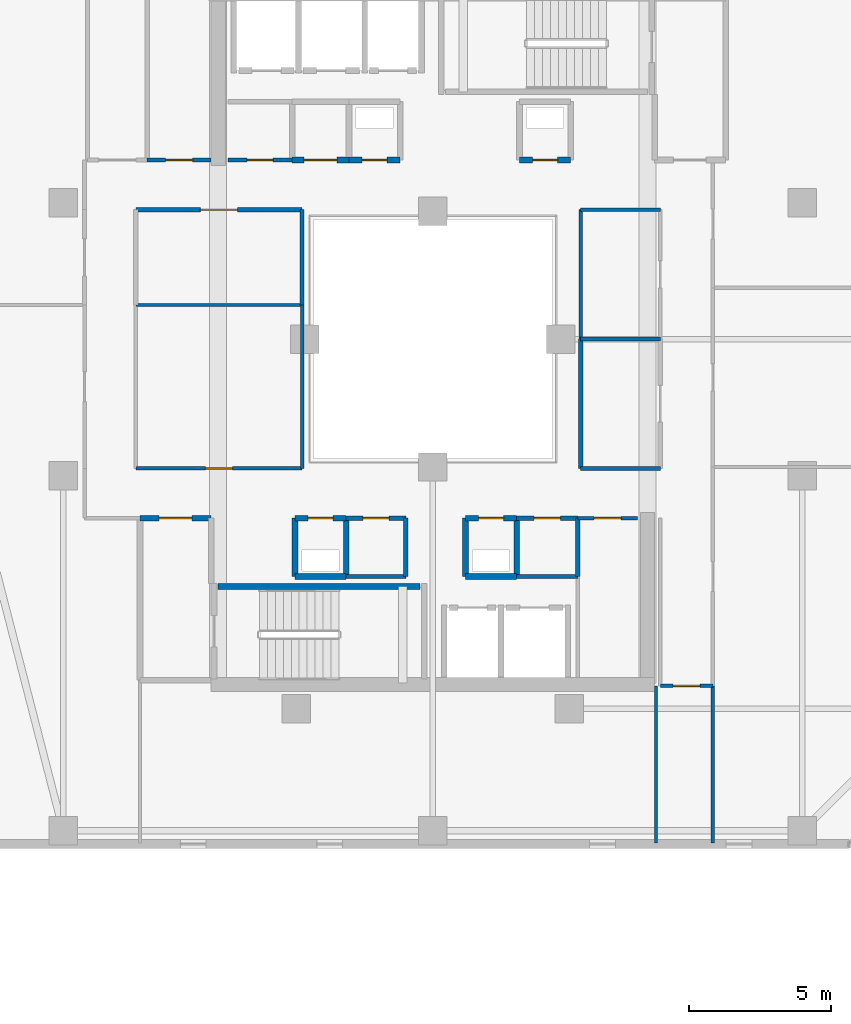
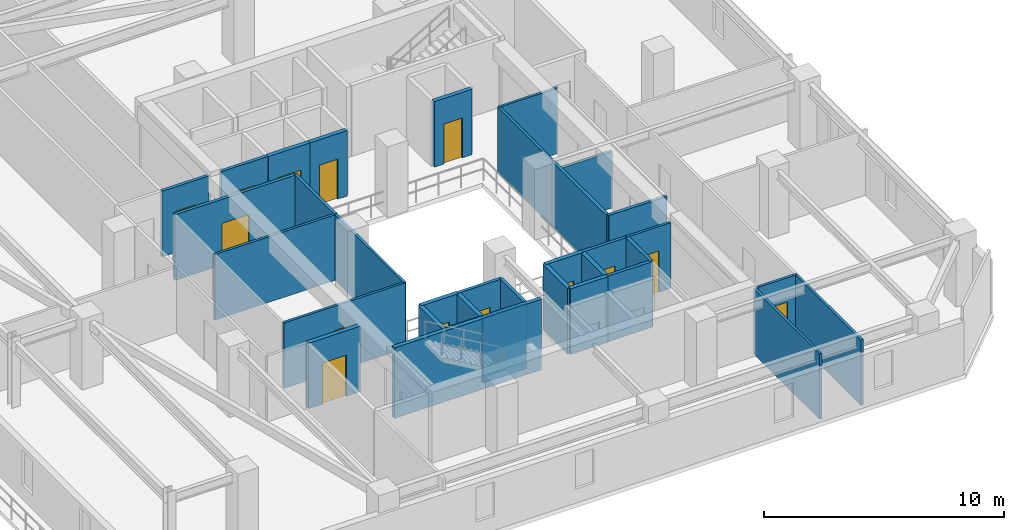
# One storey, part 20 of 33: 35 walls, 14 doors, 14 openings.
"""IFC4 building model written with IfcOpenShell, lengths in metres."""

from ifc_helpers import new_model, si_unit, direction, frame, frame_2d, origin, place, context, subcontext, project, spatial, rectangle, extrude, material, layer, layer_set, type_object, element, fill, save


model = new_model("IFC4")

# Units and contexts
model_context = context("Model", 3, precision=1e-05, world=origin(), true_north=direction((0.0, 1.0)))
body_context = subcontext(model_context, "Body", "Model", "MODEL_VIEW")
ifc_project = project(units=[si_unit("LENGTHUNIT", "METRE"), si_unit("AREAUNIT", "SQUARE_METRE"), si_unit("VOLUMEUNIT", "CUBIC_METRE"), si_unit("PLANEANGLEUNIT", "RADIAN"), si_unit("MASSUNIT", "GRAM", prefix="KILO")], contexts=[model_context])

# Site, building, storey
site_placement = place(None, origin())
site = spatial("IfcSite", under=ifc_project, at=site_placement, CompositionType="ELEMENT")
building_placement = place(site_placement, origin())
building = spatial("IfcBuilding", under=site, at=building_placement, Name="Thornwick Lancets Civic Towers", CompositionType="ELEMENT")
storey_placement = place(building_placement, frame((0.0, 0.0, 214.5)))
storey = spatial("IfcBuildingStorey", under=building, at=storey_placement, Name="L57", CompositionType="ELEMENT", Elevation=214.5)

# Wall, opening, door
ifc_material_1 = material(Name="Concrete blockwork C40/50", Category="masonry")
ifc_layer_1 = layer(ifc_material_1, 0.199951171875, Name="Concrete blockwork C40/50")
ifc_layer_set_1 = layer_set([ifc_layer_1], Name="Concrete blockwork C40/50")
wall_type_1 = type_object("IfcWallType", Name="WALL_COMP_200", PredefinedType="STANDARD", material=ifc_layer_set_1)
wall_1_placement = place(storey_placement, frame((17.699951171875, 20.699951171875, 0.0), z_axis=(0.0, 0.0, 1.0), x_axis=(-1.0, 0.0, 0.0)))
wall_1 = element("IfcWall", 1, at=wall_1_placement, inside=storey, type_object=wall_type_1, Name="L57 Partition L57-A-FFLOB1 E3", PredefinedType="STANDARD", context=body_context, shape_type="SweptSolid", body=[
    extrude(rectangle(XDim=2.5, YDim=0.199951171875, at=frame_2d((1.25, 0.0))), origin(), (0.0, 0.0, 1.0), 3.340087890625),
])
opening_1_placement = place(wall_1_placement, frame((0.675048828125, 0.0, 0.0)))
opening_1 = element("IfcOpeningElement", 2, at=opening_1_placement, cuts=wall_1, Name="Opening D-L57-2529", PredefinedType="OPENING", context=body_context, shape_type="SweptSolid", body=[
    extrude(rectangle(XDim=1.14990234375, YDim=2.10009765625, at=frame_2d((0.574951171875, 1.050048828125))), frame((0.0, 0.10986328125, 0.0), z_axis=(0.0, -1.0, 0.0), x_axis=(1.0, 0.0, 0.0)), (0.0, 0.0, 1.0), 0.219970703125),
])
ifc_material_2 = material(Name="Glazed fire-resisting steel", Category="steel")
door_type_1 = type_object("IfcDoorType", Name="DOOR_LOBBY_FD60", OperationType="NOTDEFINED", PredefinedType="DOOR", material=ifc_material_2)
door_1_placement = place(opening_1_placement, origin())
door_1 = element("IfcDoor", 3, at=door_1_placement, inside=storey, type_object=door_type_1, Name="L57 South Firefighting Lobby 1 Door", OperationType="SINGLE_SWING_RIGHT", OverallHeight=2.10009765625, OverallWidth=1.14990234375, PredefinedType="DOOR", context=body_context, shape_type="SweptSolid", body=[
    extrude(rectangle(XDim=1.14990234375, YDim=2.10009765625, at=frame_2d((0.574951171875, 1.050048828125))), frame((0.0, 0.02490234375, 0.0), z_axis=(0.0, -1.0, 0.0), x_axis=(1.0, 0.0, 0.0)), (0.0, 0.0, 1.0), 0.050048828125),
])
fill(opening_1, door_1)

# Walls
wall_2_placement = place(storey_placement, frame((26.64990234375, 18.64990234375, 0.0), z_axis=(0.0, 0.0, 1.0), x_axis=(1.0, 0.0, 0.0)))
element("IfcWall", 4, at=wall_2_placement, inside=storey, type_object=wall_type_1, Name="L57 Partition L57-A-DUCT1 E1", PredefinedType="STANDARD", context=body_context, shape_type="SweptSolid", body=[
    extrude(rectangle(XDim=1.800048828125, YDim=0.199951171875, at=frame_2d((0.89990234375, 0.0))), origin(), (0.0, 0.0, 1.0), 3.340087890625),
])
wall_3_placement = place(storey_placement, frame((28.449951171875, 18.64990234375, 0.0), z_axis=(0.0, 0.0, 1.0), x_axis=(0.0, 1.0, 0.0)))
element("IfcWall", 5, at=wall_3_placement, inside=storey, type_object=wall_type_1, Name="L57 Partition L57-A-DUCT1 E2", PredefinedType="STANDARD", context=body_context, shape_type="SweptSolid", body=[
    extrude(rectangle(XDim=2.050048828125, YDim=0.199951171875, at=frame_2d((1.02490234375, 0.0))), origin(), (0.0, 0.0, 1.0), 3.340087890625),
])

# Wall, opening, door
wall_4_placement = place(storey_placement, frame((28.449951171875, 20.699951171875, 0.0), z_axis=(0.0, 0.0, 1.0), x_axis=(-1.0, 0.0, 0.0)))
wall_4 = element("IfcWall", 6, at=wall_4_placement, inside=storey, type_object=wall_type_1, Name="L57 Partition L57-A-DUCT1 E3", PredefinedType="STANDARD", context=body_context, shape_type="SweptSolid", body=[
    extrude(rectangle(XDim=1.800048828125, YDim=0.199951171875, at=frame_2d((0.89990234375, 0.0))), origin(), (0.0, 0.0, 1.0), 3.340087890625),
])
opening_2_placement = place(wall_4_placement, frame((0.4599609375, 0.0, 0.0)))
opening_2 = element("IfcOpeningElement", 7, at=opening_2_placement, cuts=wall_4, Name="Opening D-L57-2531", PredefinedType="OPENING", context=body_context, shape_type="SweptSolid", body=[
    extrude(rectangle(XDim=0.8798828125, YDim=2.0400390625, at=frame_2d((0.43994140625, 1.02001953125))), frame((0.0, 0.10986328125, 0.0), z_axis=(0.0, -1.0, 0.0), x_axis=(1.0, 0.0, 0.0)), (0.0, 0.0, 1.0), 0.219970703125),
])
ifc_material_3 = material(Name="Steel riser access doorset", Category="steel")
door_type_2 = type_object("IfcDoorType", Name="DOOR_RISER_850", OperationType="NOTDEFINED", PredefinedType="DOOR", material=ifc_material_3)
door_2_placement = place(opening_2_placement, origin())
door_2 = element("IfcDoor", 8, at=door_2_placement, inside=storey, type_object=door_type_2, Name="L57 South Service Duct 1 Door", OperationType="SINGLE_SWING_RIGHT", OverallHeight=2.0400390625, OverallWidth=0.8798828125, PredefinedType="DOOR", context=body_context, shape_type="SweptSolid", body=[
    extrude(rectangle(XDim=0.8798828125, YDim=2.0400390625, at=frame_2d((0.43994140625, 1.02001953125))), frame((0.0, 0.02490234375, 0.0), z_axis=(0.0, -1.0, 0.0), x_axis=(1.0, 0.0, 0.0)), (0.0, 0.0, 1.0), 0.050048828125),
])
fill(opening_2, door_2)

# Walls
wall_5_placement = place(storey_placement, frame((26.64990234375, 20.699951171875, 0.0), z_axis=(0.0, 0.0, 1.0), x_axis=(0.0, -1.0, 0.0)))
element("IfcWall", 9, at=wall_5_placement, inside=storey, type_object=wall_type_1, Name="L57 Partition L57-A-DUCT1 E4", PredefinedType="STANDARD", context=body_context, shape_type="SweptSolid", body=[
    extrude(rectangle(XDim=2.050048828125, YDim=0.199951171875, at=frame_2d((1.02490234375, 0.0))), origin(), (0.0, 0.0, 1.0), 3.340087890625),
])
wall_6_placement = place(storey_placement, frame((20.64990234375, 18.64990234375, 0.0), z_axis=(0.0, 0.0, 1.0), x_axis=(1.0, 0.0, 0.0)))
element("IfcWall", 10, at=wall_6_placement, inside=storey, type_object=wall_type_1, Name="L57 Partition L57-A-RISER1 E1", PredefinedType="STANDARD", context=body_context, shape_type="SweptSolid", body=[
    extrude(rectangle(XDim=1.800048828125, YDim=0.199951171875, at=frame_2d((0.89990234375, 0.0))), origin(), (0.0, 0.0, 1.0), 3.340087890625),
])
wall_7_placement = place(storey_placement, frame((22.449951171875, 18.64990234375, 0.0), z_axis=(0.0, 0.0, 1.0), x_axis=(0.0, 1.0, 0.0)))
element("IfcWall", 11, at=wall_7_placement, inside=storey, type_object=wall_type_1, Name="L57 Partition L57-A-RISER1 E2", PredefinedType="STANDARD", context=body_context, shape_type="SweptSolid", body=[
    extrude(rectangle(XDim=2.050048828125, YDim=0.199951171875, at=frame_2d((1.02490234375, 0.0))), origin(), (0.0, 0.0, 1.0), 3.340087890625),
])

# Wall, opening, door
wall_8_placement = place(storey_placement, frame((22.449951171875, 20.699951171875, 0.0), z_axis=(0.0, 0.0, 1.0), x_axis=(-1.0, 0.0, 0.0)))
wall_8 = element("IfcWall", 12, at=wall_8_placement, inside=storey, type_object=wall_type_1, Name="L57 Partition L57-A-RISER1 E3", PredefinedType="STANDARD", context=body_context, shape_type="SweptSolid", body=[
    extrude(rectangle(XDim=1.800048828125, YDim=0.199951171875, at=frame_2d((0.89990234375, 0.0))), origin(), (0.0, 0.0, 1.0), 3.340087890625),
])
opening_3_placement = place(wall_8_placement, frame((0.4599609375, 0.0, 0.0)))
opening_3 = element("IfcOpeningElement", 13, at=opening_3_placement, cuts=wall_8, Name="Opening D-L57-2532", PredefinedType="OPENING", context=body_context, shape_type="SweptSolid", body=[
    extrude(rectangle(XDim=0.8798828125, YDim=2.0400390625, at=frame_2d((0.43994140625, 1.02001953125))), frame((0.0, 0.10986328125, 0.0), z_axis=(0.0, -1.0, 0.0), x_axis=(1.0, 0.0, 0.0)), (0.0, 0.0, 1.0), 0.219970703125),
])
door_3_placement = place(opening_3_placement, origin())
door_3 = element("IfcDoor", 14, at=door_3_placement, inside=storey, type_object=door_type_2, Name="L57 South Electrical Riser 1 Door", OperationType="SINGLE_SWING_LEFT", OverallHeight=2.0400390625, OverallWidth=0.8798828125, PredefinedType="DOOR", context=body_context, shape_type="SweptSolid", body=[
    extrude(rectangle(XDim=0.8798828125, YDim=2.0400390625, at=frame_2d((0.43994140625, 1.02001953125))), frame((0.0, 0.02490234375, 0.0), z_axis=(0.0, -1.0, 0.0), x_axis=(1.0, 0.0, 0.0)), (0.0, 0.0, 1.0), 0.050048828125),
])
fill(opening_3, door_3)

# Wall
wall_9_placement = place(storey_placement, frame((20.64990234375, 20.699951171875, 0.0), z_axis=(0.0, 0.0, 1.0), x_axis=(0.0, -1.0, 0.0)))
element("IfcWall", 15, at=wall_9_placement, inside=storey, type_object=wall_type_1, Name="L57 Partition L57-A-RISER1 E4", PredefinedType="STANDARD", context=body_context, shape_type="SweptSolid", body=[
    extrude(rectangle(XDim=2.050048828125, YDim=0.199951171875, at=frame_2d((1.02490234375, 0.0))), origin(), (0.0, 0.0, 1.0), 3.340087890625),
])

# Wall, opening, door
wall_10_placement = place(storey_placement, frame((22.550048828125, 33.300048828125, 0.0), z_axis=(0.0, 0.0, 1.0), x_axis=(1.0, 0.0, 0.0)))
wall_10 = element("IfcWall", 16, at=wall_10_placement, inside=storey, type_object=wall_type_1, Name="L57 Partition L57-A-DUCT2 E1", PredefinedType="STANDARD", context=body_context, shape_type="SweptSolid", body=[
    extrude(rectangle(XDim=1.800048828125, YDim=0.199951171875, at=frame_2d((0.89990234375, 0.0))), origin(), (0.0, 0.0, 1.0), 3.340087890625),
])
opening_4_placement = place(wall_10_placement, frame((0.4599609375, 0.0, 0.0)))
opening_4 = element("IfcOpeningElement", 17, at=opening_4_placement, cuts=wall_10, Name="Opening D-L57-2533", PredefinedType="OPENING", context=body_context, shape_type="SweptSolid", body=[
    extrude(rectangle(XDim=0.8798828125, YDim=2.0400390625, at=frame_2d((0.43994140625, 1.02001953125))), frame((0.0, 0.10986328125, 0.0), z_axis=(0.0, -1.0, 0.0), x_axis=(1.0, 0.0, 0.0)), (0.0, 0.0, 1.0), 0.219970703125),
])
door_4_placement = place(opening_4_placement, origin())
door_4 = element("IfcDoor", 18, at=door_4_placement, inside=storey, type_object=door_type_2, Name="L57 North Service Duct 2 Door", OperationType="SINGLE_SWING_RIGHT", OverallHeight=2.0400390625, OverallWidth=0.8798828125, PredefinedType="DOOR", context=body_context, shape_type="SweptSolid", body=[
    extrude(rectangle(XDim=0.8798828125, YDim=2.0400390625, at=frame_2d((0.43994140625, 1.02001953125))), frame((0.0, 0.02490234375, 0.0), z_axis=(0.0, -1.0, 0.0), x_axis=(1.0, 0.0, 0.0)), (0.0, 0.0, 1.0), 0.050048828125),
])
fill(opening_4, door_4)

wall_11_placement = place(storey_placement, frame((28.550048828125, 33.300048828125, 0.0), z_axis=(0.0, 0.0, 1.0), x_axis=(1.0, 0.0, 0.0)))
wall_11 = element("IfcWall", 19, at=wall_11_placement, inside=storey, type_object=wall_type_1, Name="L57 Partition L57-A-RISER2 E1", PredefinedType="STANDARD", context=body_context, shape_type="SweptSolid", body=[
    extrude(rectangle(XDim=1.800048828125, YDim=0.199951171875, at=frame_2d((0.89990234375, 0.0))), origin(), (0.0, 0.0, 1.0), 3.340087890625),
])
opening_5_placement = place(wall_11_placement, frame((0.4599609375, 0.0, 0.0)))
opening_5 = element("IfcOpeningElement", 20, at=opening_5_placement, cuts=wall_11, Name="Opening D-L57-2534", PredefinedType="OPENING", context=body_context, shape_type="SweptSolid", body=[
    extrude(rectangle(XDim=0.8798828125, YDim=2.0400390625, at=frame_2d((0.43994140625, 1.02001953125))), frame((0.0, 0.10986328125, 0.0), z_axis=(0.0, -1.0, 0.0), x_axis=(1.0, 0.0, 0.0)), (0.0, 0.0, 1.0), 0.219970703125),
])
door_5_placement = place(opening_5_placement, origin())
door_5 = element("IfcDoor", 21, at=door_5_placement, inside=storey, type_object=door_type_2, Name="L57 North Service Riser 2 Door", OperationType="SINGLE_SWING_LEFT", OverallHeight=2.0400390625, OverallWidth=0.8798828125, PredefinedType="DOOR", context=body_context, shape_type="SweptSolid", body=[
    extrude(rectangle(XDim=0.8798828125, YDim=2.0400390625, at=frame_2d((0.43994140625, 1.02001953125))), frame((0.0, 0.02490234375, 0.0), z_axis=(0.0, -1.0, 0.0), x_axis=(1.0, 0.0, 0.0)), (0.0, 0.0, 1.0), 0.050048828125),
])
fill(opening_5, door_5)

wall_12_placement = place(storey_placement, frame((22.550048828125, 33.300048828125, 0.0), z_axis=(0.0, 0.0, 1.0), x_axis=(-1.0, 0.0, 0.0)))
wall_12 = element("IfcWall", 22, at=wall_12_placement, inside=storey, type_object=wall_type_1, Name="L57 Partition L57-A-STR E4", PredefinedType="STANDARD", context=body_context, shape_type="SweptSolid", body=[
    extrude(rectangle(XDim=2.0, YDim=0.199951171875, at=frame_2d((1.0, 0.0))), origin(), (0.0, 0.0, 1.0), 3.340087890625),
])
opening_6_placement = place(wall_12_placement, frame((0.425048828125, 0.0, 0.0)))
opening_6 = element("IfcOpeningElement", 23, at=opening_6_placement, cuts=wall_12, Name="Opening D-L57-2539", PredefinedType="OPENING", context=body_context, shape_type="SweptSolid", body=[
    extrude(rectangle(XDim=1.14990234375, YDim=2.10009765625, at=frame_2d((0.574951171875, 1.050048828125))), frame((0.0, 0.10986328125, 0.0), z_axis=(0.0, -1.0, 0.0), x_axis=(1.0, 0.0, 0.0)), (0.0, 0.0, 1.0), 0.219970703125),
])
door_6_placement = place(opening_6_placement, origin())
door_6 = element("IfcDoor", 24, at=door_6_placement, inside=storey, type_object=door_type_1, Name="L57 Tower A Core Records Store Door", OperationType="SINGLE_SWING_RIGHT", OverallHeight=2.10009765625, OverallWidth=1.14990234375, PredefinedType="DOOR", context=body_context, shape_type="SweptSolid", body=[
    extrude(rectangle(XDim=1.14990234375, YDim=2.10009765625, at=frame_2d((0.574951171875, 1.050048828125))), frame((0.0, 0.02490234375, 0.0), z_axis=(0.0, -1.0, 0.0), x_axis=(1.0, 0.0, 0.0)), (0.0, 0.0, 1.0), 0.050048828125),
])
fill(opening_6, door_6)

ifc_material_4 = material(Name="Acoustic gypsum board partition")
ifc_layer_2 = layer(ifc_material_4, 0.1201171875, Name="Acoustic gypsum board partition")
ifc_layer_set_2 = layer_set([ifc_layer_2], Name="Acoustic gypsum board partition")
wall_type_2 = type_object("IfcWallType", Name="WALL_PART_120", PredefinedType="PARTITIONING", material=ifc_layer_set_2)
wall_13_placement = place(storey_placement, frame((30.60009765625, 20.699951171875, 0.0), z_axis=(0.0, 0.0, 1.0), x_axis=(1.0, 0.0, 0.0)))
wall_13 = element("IfcWall", 25, at=wall_13_placement, inside=storey, type_object=wall_type_2, Name="L57 Partition L57-A-ITR E5", PredefinedType="PARTITIONING", context=body_context, shape_type="SweptSolid", body=[
    extrude(rectangle(XDim=2.099853515625, YDim=0.1201171875, at=frame_2d((1.0498046875, 0.0))), origin(), (0.0, 0.0, 1.0), 3.340087890625),
])
opening_7_placement = place(wall_13_placement, frame((0.574951171875, 0.0, 0.0)))
opening_7 = element("IfcOpeningElement", 26, at=opening_7_placement, cuts=wall_13, Name="Opening D-L57-2537", PredefinedType="OPENING", context=body_context, shape_type="SweptSolid", body=[
    extrude(rectangle(XDim=0.949951171875, YDim=2.10009765625, at=frame_2d((0.47509765625, 1.050048828125))), frame((0.0, 0.070068359375, 0.0), z_axis=(0.0, -1.0, 0.0), x_axis=(1.0, 0.0, 0.0)), (0.0, 0.0, 1.0), 0.14013671875),
])
ifc_material_5 = material(Name="European oak acoustic doorset")
door_type_3 = type_object("IfcDoorType", Name="DOOR_OFFICE_950", OperationType="NOTDEFINED", PredefinedType="DOOR", material=ifc_material_5)
door_7_placement = place(opening_7_placement, origin())
door_7 = element("IfcDoor", 27, at=door_7_placement, inside=storey, type_object=door_type_3, Name="L57 Tower A Comms Patch Room Door", OperationType="SINGLE_SWING_RIGHT", OverallHeight=2.10009765625, OverallWidth=0.949951171875, PredefinedType="DOOR", context=body_context, shape_type="SweptSolid", body=[
    extrude(rectangle(XDim=0.949951171875, YDim=2.10009765625, at=frame_2d((0.47509765625, 1.050048828125))), frame((0.0, 0.02490234375, 0.0), z_axis=(0.0, -1.0, 0.0), x_axis=(1.0, 0.0, 0.0)), (0.0, 0.0, 1.0), 0.050048828125),
])
fill(opening_7, door_7)

wall_14_placement = place(storey_placement, frame((33.5, 14.800048828125, 0.0), z_axis=(0.0, 0.0, 1.0), x_axis=(1.0, 0.0, 0.0)))
wall_14 = element("IfcWall", 28, at=wall_14_placement, inside=storey, type_object=wall_type_2, Name="L57 Partition L57-A-RECLAIM-L E3", PredefinedType="PARTITIONING", context=body_context, shape_type="SweptSolid", body=[
    extrude(rectangle(XDim=1.85009765625, YDim=0.1201171875, at=frame_2d((0.925048828125, 0.0))), origin(), (0.0, 0.0, 1.0), 3.340087890625),
])
opening_8_placement = place(wall_14_placement, frame((0.449951171875, 0.0, 0.0)))
opening_8 = element("IfcOpeningElement", 29, at=opening_8_placement, cuts=wall_14, Name="Opening D-L57-2551", PredefinedType="OPENING", context=body_context, shape_type="SweptSolid", body=[
    extrude(rectangle(XDim=0.949951171875, YDim=2.10009765625, at=frame_2d((0.47509765625, 1.050048828125))), frame((0.0, 0.070068359375, 0.0), z_axis=(0.0, -1.0, 0.0), x_axis=(1.0, 0.0, 0.0)), (0.0, 0.0, 1.0), 0.14013671875),
])
door_8_placement = place(opening_8_placement, origin())
door_8 = element("IfcDoor", 30, at=door_8_placement, inside=storey, type_object=door_type_3, Name="L57 Tower A Parliamentary Drafting Library Door", OperationType="SINGLE_SWING_RIGHT", OverallHeight=2.10009765625, OverallWidth=0.949951171875, PredefinedType="DOOR", context=body_context, shape_type="SweptSolid", body=[
    extrude(rectangle(XDim=0.949951171875, YDim=2.10009765625, at=frame_2d((0.47509765625, 1.050048828125))), frame((0.0, 0.02490234375, 0.0), z_axis=(0.0, -1.0, 0.0), x_axis=(1.0, 0.0, 0.0)), (0.0, 0.0, 1.0), 0.050048828125),
])
fill(opening_8, door_8)

# Walls
for number, where, z_axis, x_axis, name in (
    (31, (35.35009765625, 14.800048828125, 0.0), (0.0, 0.0, 1.0), (0.0, -1.0, 0.0), "L57 Partition L57-A-RECLAIM-L E4"),
    (32, (33.35009765625, 9.280029296875, 0.0), (0.0, 0.0, 1.0), (0.0, 1.0, 0.0), "L57 Partition L57-A-RECLAIM-L E6"),
):
    element("IfcWall", number, at=place(storey_placement, frame(where, z_axis=z_axis, x_axis=x_axis)), inside=storey, type_object=wall_type_2, Name=name, PredefinedType="PARTITIONING", context=body_context, shape_type="SweptSolid", body=[
        extrude(rectangle(XDim=5.52001953125, YDim=0.1201171875, at=frame_2d((2.760009765625, 0.0))), origin(), (0.0, 0.0, 1.0), 3.340087890625),
    ])
wall_15_placement = place(storey_placement, frame((15.050048828125, 28.199951171875, 0.0), z_axis=(0.0, 0.0, 1.0), x_axis=(1.0, 0.0, 0.0)))
element("IfcWall", 33, at=wall_15_placement, inside=storey, type_object=wall_type_2, Name="L57 Partition L57-A-W3 E2", PredefinedType="PARTITIONING", context=body_context, shape_type="SweptSolid", body=[
    extrude(rectangle(XDim=5.849853515625, YDim=0.1201171875, at=frame_2d((2.9248046875, 0.0))), origin(), (0.0, 0.0, 1.0), 3.340087890625),
])
wall_16_placement = place(storey_placement, frame((20.89990234375, 28.199951171875, 0.0), z_axis=(0.0, 0.0, 1.0), x_axis=(0.0, -1.0, 0.0)))
element("IfcWall", 34, at=wall_16_placement, inside=storey, type_object=wall_type_2, Name="L57 Partition L57-A-W3 E3", PredefinedType="PARTITIONING", context=body_context, shape_type="SweptSolid", body=[
    extrude(rectangle(XDim=5.75, YDim=0.1201171875, at=frame_2d((2.875, 0.0))), origin(), (0.0, 0.0, 1.0), 3.340087890625),
])

# Wall, opening, door
wall_17_placement = place(storey_placement, frame((20.89990234375, 22.449951171875, 0.0), z_axis=(0.0, 0.0, 1.0), x_axis=(-1.0, 0.0, 0.0)))
wall_17 = element("IfcWall", 35, at=wall_17_placement, inside=storey, type_object=wall_type_2, Name="L57 Partition L57-A-W3 E4", PredefinedType="PARTITIONING", context=body_context, shape_type="SweptSolid", body=[
    extrude(rectangle(XDim=5.849853515625, YDim=0.1201171875, at=frame_2d((2.9248046875, 0.0))), origin(), (0.0, 0.0, 1.0), 3.340087890625),
])
opening_9_placement = place(wall_17_placement, frame((2.449951171875, 0.0, 0.0)))
opening_9 = element("IfcOpeningElement", 36, at=opening_9_placement, cuts=wall_17, Name="Opening D-L57-2556", PredefinedType="OPENING", context=body_context, shape_type="SweptSolid", body=[
    extrude(rectangle(XDim=0.949951171875, YDim=2.10009765625, at=frame_2d((0.47509765625, 1.050048828125))), frame((0.0, 0.070068359375, 0.0), z_axis=(0.0, -1.0, 0.0), x_axis=(1.0, 0.0, 0.0)), (0.0, 0.0, 1.0), 0.14013671875),
])
door_9_placement = place(opening_9_placement, origin())
door_9 = element("IfcDoor", 37, at=door_9_placement, inside=storey, type_object=door_type_3, Name="L57 Tower A Staff Tea Pantry and Lounge Door", OperationType="SINGLE_SWING_LEFT", OverallHeight=2.10009765625, OverallWidth=0.949951171875, PredefinedType="DOOR", context=body_context, shape_type="SweptSolid", body=[
    extrude(rectangle(XDim=0.949951171875, YDim=2.10009765625, at=frame_2d((0.47509765625, 1.050048828125))), frame((0.0, 0.02490234375, 0.0), z_axis=(0.0, -1.0, 0.0), x_axis=(1.0, 0.0, 0.0)), (0.0, 0.0, 1.0), 0.050048828125),
])
fill(opening_9, door_9)

# Walls
wall_18_placement = place(storey_placement, frame((30.699951171875, 27.0, 0.0), z_axis=(0.0, 0.0, 1.0), x_axis=(0.0, 1.0, 0.0)))
element("IfcWall", 38, at=wall_18_placement, inside=storey, type_object=wall_type_2, Name="L57 Partition L57-A-E-ATR-2 E1", PredefinedType="PARTITIONING", context=body_context, shape_type="SweptSolid", body=[
    extrude(rectangle(XDim=4.550048828125, YDim=0.1201171875, at=frame_2d((2.27490234375, 0.0))), origin(), (0.0, 0.0, 1.0), 3.340087890625),
])
wall_19_placement = place(storey_placement, frame((30.699951171875, 31.550048828125, 0.0), z_axis=(0.0, 0.0, 1.0), x_axis=(1.0, 0.0, 0.0)))
element("IfcWall", 39, at=wall_19_placement, inside=storey, type_object=wall_type_2, Name="L57 Partition L57-A-E-ATR-2 E2", PredefinedType="PARTITIONING", context=body_context, shape_type="SweptSolid", body=[
    extrude(rectangle(XDim=2.800048828125, YDim=0.1201171875, at=frame_2d((1.39990234375, 0.0))), origin(), (0.0, 0.0, 1.0), 3.340087890625),
])
ifc_material_6 = material(Name="Twin-stud acoustic gypsum board")
ifc_layer_3 = layer(ifc_material_6, 0.14990234375, Name="Twin-stud acoustic gypsum board")
ifc_layer_set_3 = layer_set([ifc_layer_3], Name="Twin-stud acoustic gypsum board")
wall_type_3 = type_object("IfcWallType", Name="WALL_PART_150", PredefinedType="PARTITIONING", material=ifc_layer_set_3)
wall_20_placement = place(storey_placement, frame((24.550048828125, 20.699951171875, 0.0), z_axis=(0.0, 0.0, 1.0), x_axis=(0.0, -1.0, 0.0)))
element("IfcWall", 40, at=wall_20_placement, inside=storey, type_object=wall_type_3, Name="L57 Partition L57-A-MWC E1", PredefinedType="PARTITIONING", context=body_context, shape_type="SweptSolid", body=[
    extrude(rectangle(XDim=2.050048828125, YDim=0.14990234375, at=frame_2d((1.02490234375, 0.0))), origin(), (0.0, 0.0, 1.0), 3.340087890625),
])
wall_21_placement = place(storey_placement, frame((24.550048828125, 18.64990234375, 0.0), z_axis=(0.0, 0.0, 1.0), x_axis=(-1.0, 0.0, 0.0)))
element("IfcWall", 41, at=wall_21_placement, inside=storey, type_object=wall_type_3, Name="L57 Partition L57-A-MWC E2", PredefinedType="PARTITIONING", context=body_context, shape_type="SweptSolid", body=[
    extrude(rectangle(XDim=2.10009765625, YDim=0.14990234375, at=frame_2d((1.050048828125, 0.0))), origin(), (0.0, 0.0, 1.0), 3.340087890625),
])

# Wall, opening, door
wall_22_placement = place(storey_placement, frame((22.449951171875, 20.699951171875, 0.0), z_axis=(0.0, 0.0, 1.0), x_axis=(1.0, 0.0, 0.0)))
wall_22 = element("IfcWall", 42, at=wall_22_placement, inside=storey, type_object=wall_type_3, Name="L57 Partition L57-A-MWC E4", PredefinedType="PARTITIONING", context=body_context, shape_type="SweptSolid", body=[
    extrude(rectangle(XDim=2.10009765625, YDim=0.14990234375, at=frame_2d((1.050048828125, 0.0))), origin(), (0.0, 0.0, 1.0), 3.340087890625),
])
opening_10_placement = place(wall_22_placement, frame((0.590087890625, 0.0, 0.0)))
opening_10 = element("IfcOpeningElement", 43, at=opening_10_placement, cuts=wall_22, Name="Opening D-L57-2535", PredefinedType="OPENING", context=body_context, shape_type="SweptSolid", body=[
    extrude(rectangle(XDim=0.919921875, YDim=2.080078125, at=frame_2d((0.4599609375, 1.0400390625))), frame((0.0, 0.0849609375, 0.0), z_axis=(0.0, -1.0, 0.0), x_axis=(1.0, 0.0, 0.0)), (0.0, 0.0, 1.0), 0.169921875),
])
ifc_material_7 = material(Name="Moisture-resistant oak doorset")
door_type_4 = type_object("IfcDoorType", Name="DOOR_WC_900", OperationType="NOTDEFINED", PredefinedType="DOOR", material=ifc_material_7)
door_10_placement = place(opening_10_placement, origin())
door_10 = element("IfcDoor", 44, at=door_10_placement, inside=storey, type_object=door_type_4, Name="L57 Tower A Male WC Door", OperationType="SINGLE_SWING_RIGHT", OverallHeight=2.080078125, OverallWidth=0.919921875, PredefinedType="DOOR", context=body_context, shape_type="SweptSolid", body=[
    extrude(rectangle(XDim=0.919921875, YDim=2.080078125, at=frame_2d((0.4599609375, 1.0400390625))), frame((0.0, 0.02490234375, 0.0), z_axis=(0.0, -1.0, 0.0), x_axis=(1.0, 0.0, 0.0)), (0.0, 0.0, 1.0), 0.050048828125),
])
fill(opening_10, door_10)

# Walls
wall_23_placement = place(storey_placement, frame((30.60009765625, 20.699951171875, 0.0), z_axis=(0.0, 0.0, 1.0), x_axis=(0.0, -1.0, 0.0)))
element("IfcWall", 45, at=wall_23_placement, inside=storey, type_object=wall_type_3, Name="L57 Partition L57-A-FWC E1", PredefinedType="PARTITIONING", context=body_context, shape_type="SweptSolid", body=[
    extrude(rectangle(XDim=2.050048828125, YDim=0.14990234375, at=frame_2d((1.02490234375, 0.0))), origin(), (0.0, 0.0, 1.0), 3.340087890625),
])
wall_24_placement = place(storey_placement, frame((30.60009765625, 18.64990234375, 0.0), z_axis=(0.0, 0.0, 1.0), x_axis=(-1.0, 0.0, 0.0)))
element("IfcWall", 46, at=wall_24_placement, inside=storey, type_object=wall_type_3, Name="L57 Partition L57-A-FWC E2", PredefinedType="PARTITIONING", context=body_context, shape_type="SweptSolid", body=[
    extrude(rectangle(XDim=2.150146484375, YDim=0.14990234375, at=frame_2d((1.0751953125, 0.0))), origin(), (0.0, 0.0, 1.0), 3.340087890625),
])

# Wall, opening, door
wall_25_placement = place(storey_placement, frame((28.449951171875, 20.699951171875, 0.0), z_axis=(0.0, 0.0, 1.0), x_axis=(1.0, 0.0, 0.0)))
wall_25 = element("IfcWall", 47, at=wall_25_placement, inside=storey, type_object=wall_type_3, Name="L57 Partition L57-A-FWC E4", PredefinedType="PARTITIONING", context=body_context, shape_type="SweptSolid", body=[
    extrude(rectangle(XDim=2.150146484375, YDim=0.14990234375, at=frame_2d((1.0751953125, 0.0))), origin(), (0.0, 0.0, 1.0), 3.340087890625),
])
opening_11_placement = place(wall_25_placement, frame((0.614990234375, 0.0, 0.0)))
opening_11 = element("IfcOpeningElement", 48, at=opening_11_placement, cuts=wall_25, Name="Opening D-L57-2536", PredefinedType="OPENING", context=body_context, shape_type="SweptSolid", body=[
    extrude(rectangle(XDim=0.919921875, YDim=2.080078125, at=frame_2d((0.4599609375, 1.0400390625))), frame((0.0, 0.0849609375, 0.0), z_axis=(0.0, -1.0, 0.0), x_axis=(1.0, 0.0, 0.0)), (0.0, 0.0, 1.0), 0.169921875),
])
door_11_placement = place(opening_11_placement, origin())
door_11 = element("IfcDoor", 49, at=door_11_placement, inside=storey, type_object=door_type_4, Name="L57 Tower A Female WC Door", OperationType="SINGLE_SWING_LEFT", OverallHeight=2.080078125, OverallWidth=0.919921875, PredefinedType="DOOR", context=body_context, shape_type="SweptSolid", body=[
    extrude(rectangle(XDim=0.919921875, YDim=2.080078125, at=frame_2d((0.4599609375, 1.0400390625))), frame((0.0, 0.02490234375, 0.0), z_axis=(0.0, -1.0, 0.0), x_axis=(1.0, 0.0, 0.0)), (0.0, 0.0, 1.0), 0.050048828125),
])
fill(opening_11, door_11)

wall_26_placement = place(storey_placement, frame((18.300048828125, 33.300048828125, 0.0), z_axis=(0.0, 0.0, 1.0), x_axis=(1.0, 0.0, 0.0)))
wall_26 = element("IfcWall", 50, at=wall_26_placement, inside=storey, type_object=wall_type_3, Name="L57 Partition L57-A-AWC E1", PredefinedType="PARTITIONING", context=body_context, shape_type="SweptSolid", body=[
    extrude(rectangle(XDim=2.25, YDim=0.14990234375, at=frame_2d((1.125, 0.0))), origin(), (0.0, 0.0, 1.0), 3.340087890625),
])
opening_12_placement = place(wall_26_placement, frame((0.6650390625, 0.0, 0.0)))
opening_12 = element("IfcOpeningElement", 51, at=opening_12_placement, cuts=wall_26, Name="Opening D-L57-2538", PredefinedType="OPENING", context=body_context, shape_type="SweptSolid", body=[
    extrude(rectangle(XDim=0.919921875, YDim=2.080078125, at=frame_2d((0.4599609375, 1.0400390625))), frame((0.0, 0.0849609375, 0.0), z_axis=(0.0, -1.0, 0.0), x_axis=(1.0, 0.0, 0.0)), (0.0, 0.0, 1.0), 0.169921875),
])
door_12_placement = place(opening_12_placement, origin())
door_12 = element("IfcDoor", 52, at=door_12_placement, inside=storey, type_object=door_type_4, Name="L57 Tower A Accessible WC Door", OperationType="SINGLE_SWING_LEFT", OverallHeight=2.080078125, OverallWidth=0.919921875, PredefinedType="DOOR", context=body_context, shape_type="SweptSolid", body=[
    extrude(rectangle(XDim=0.919921875, YDim=2.080078125, at=frame_2d((0.4599609375, 1.0400390625))), frame((0.0, 0.02490234375, 0.0), z_axis=(0.0, -1.0, 0.0), x_axis=(1.0, 0.0, 0.0)), (0.0, 0.0, 1.0), 0.050048828125),
])
fill(opening_12, door_12)

wall_27_placement = place(storey_placement, frame((17.699951171875, 33.300048828125, 0.0), z_axis=(0.0, 0.0, 1.0), x_axis=(-1.0, 0.0, 0.0)))
wall_27 = element("IfcWall", 53, at=wall_27_placement, inside=storey, type_object=wall_type_3, Name="L57 Partition L57-A-RECLAIM-M2 E4", PredefinedType="PARTITIONING", context=body_context, shape_type="SweptSolid", body=[
    extrude(rectangle(XDim=2.25, YDim=0.14990234375, at=frame_2d((1.125, 0.0))), origin(), (0.0, 0.0, 1.0), 3.340087890625),
])
opening_13_placement = place(wall_27_placement, frame((0.64990234375, 0.0, 0.0)))
opening_13 = element("IfcOpeningElement", 54, at=opening_13_placement, cuts=wall_27, Name="Opening D-L57-2553", PredefinedType="OPENING", context=body_context, shape_type="SweptSolid", body=[
    extrude(rectangle(XDim=0.949951171875, YDim=2.10009765625, at=frame_2d((0.47509765625, 1.050048828125))), frame((0.0, 0.0849609375, 0.0), z_axis=(0.0, -1.0, 0.0), x_axis=(1.0, 0.0, 0.0)), (0.0, 0.0, 1.0), 0.169921875),
])
door_13_placement = place(opening_13_placement, origin())
door_13 = element("IfcDoor", 55, at=door_13_placement, inside=storey, type_object=door_type_3, Name="L57 Tower A Executive Records Archive Door", OperationType="SINGLE_SWING_RIGHT", OverallHeight=2.10009765625, OverallWidth=0.949951171875, PredefinedType="DOOR", context=body_context, shape_type="SweptSolid", body=[
    extrude(rectangle(XDim=0.949951171875, YDim=2.10009765625, at=frame_2d((0.47509765625, 1.050048828125))), frame((0.0, 0.02490234375, 0.0), z_axis=(0.0, -1.0, 0.0), x_axis=(1.0, 0.0, 0.0)), (0.0, 0.0, 1.0), 0.050048828125),
])
fill(opening_13, door_13)

wall_28_placement = place(storey_placement, frame((15.050048828125, 31.550048828125, 0.0), z_axis=(0.0, 0.0, 1.0), x_axis=(1.0, 0.0, 0.0)))
wall_28 = element("IfcWall", 56, at=wall_28_placement, inside=storey, type_object=wall_type_3, Name="L57 Partition L57-A-W4 E2", PredefinedType="PARTITIONING", context=body_context, shape_type="SweptSolid", body=[
    extrude(rectangle(XDim=5.849853515625, YDim=0.14990234375, at=frame_2d((2.9248046875, 0.0))), origin(), (0.0, 0.0, 1.0), 3.340087890625),
])
opening_14_placement = place(wall_28_placement, frame((2.27490234375, 0.0, 0.0)))
opening_14 = element("IfcOpeningElement", 57, at=opening_14_placement, cuts=wall_28, Name="Opening D-L57-2557", PredefinedType="OPENING", context=body_context, shape_type="SweptSolid", body=[
    extrude(rectangle(XDim=1.300048828125, YDim=2.1201171875, at=frame_2d((0.64990234375, 1.06005859375))), frame((0.0, 0.0849609375, 0.0), z_axis=(0.0, -1.0, 0.0), x_axis=(1.0, 0.0, 0.0)), (0.0, 0.0, 1.0), 0.169921875),
])
ifc_material_8 = material(Name="Acoustic oak leaf-and-a-half doorset")
door_type_5 = type_object("IfcDoorType", Name="DOOR_MEET_1300", OperationType="DOUBLE_DOOR_SINGLE_SWING", PredefinedType="DOOR", material=ifc_material_8)
door_14_placement = place(opening_14_placement, origin())
door_14 = element("IfcDoor", 58, at=door_14_placement, inside=storey, type_object=door_type_5, Name="L57 Tower A West Briefing Room W4 Door", OperationType="DOUBLE_DOOR_SINGLE_SWING", OverallHeight=2.1201171875, OverallWidth=1.300048828125, PredefinedType="DOOR", context=body_context, shape_type="SweptSolid", body=[
    extrude(rectangle(XDim=1.300048828125, YDim=2.1201171875, at=frame_2d((0.64990234375, 1.06005859375))), frame((0.0, 0.02490234375, 0.0), z_axis=(0.0, -1.0, 0.0), x_axis=(1.0, 0.0, 0.0)), (0.0, 0.0, 1.0), 0.050048828125),
])
fill(opening_14, door_14)

# Walls
wall_29_placement = place(storey_placement, frame((20.89990234375, 31.550048828125, 0.0), z_axis=(0.0, 0.0, 1.0), x_axis=(0.0, -1.0, 0.0)))
element("IfcWall", 59, at=wall_29_placement, inside=storey, type_object=wall_type_3, Name="L57 Partition L57-A-W4 E3", PredefinedType="PARTITIONING", context=body_context, shape_type="SweptSolid", body=[
    extrude(rectangle(XDim=3.35009765625, YDim=0.14990234375, at=frame_2d((1.675048828125, 0.0))), origin(), (0.0, 0.0, 1.0), 3.340087890625),
])
wall_30_placement = place(storey_placement, frame((30.699951171875, 22.449951171875, 0.0), z_axis=(0.0, 0.0, 1.0), x_axis=(0.0, 1.0, 0.0)))
element("IfcWall", 60, at=wall_30_placement, inside=storey, type_object=wall_type_3, Name="L57 Partition L57-A-E-ATR-1 E1", PredefinedType="PARTITIONING", context=body_context, shape_type="SweptSolid", body=[
    extrude(rectangle(XDim=4.550048828125, YDim=0.14990234375, at=frame_2d((2.27490234375, 0.0))), origin(), (0.0, 0.0, 1.0), 3.340087890625),
])
wall_31_placement = place(storey_placement, frame((30.699951171875, 27.0, 0.0), z_axis=(0.0, 0.0, 1.0), x_axis=(1.0, 0.0, 0.0)))
element("IfcWall", 61, at=wall_31_placement, inside=storey, type_object=wall_type_3, Name="L57 Partition L57-A-E-ATR-1 E2", PredefinedType="PARTITIONING", context=body_context, shape_type="SweptSolid", body=[
    extrude(rectangle(XDim=2.800048828125, YDim=0.14990234375, at=frame_2d((1.39990234375, 0.0))), origin(), (0.0, 0.0, 1.0), 2.877685546875),
])
wall_32_placement = place(storey_placement, frame((33.5, 22.449951171875, 0.0), z_axis=(0.0, 0.0, 1.0), x_axis=(-1.0, 0.0, 0.0)))
element("IfcWall", 62, at=wall_32_placement, inside=storey, type_object=wall_type_3, Name="L57 Partition L57-A-E-ATR-1 E4", PredefinedType="PARTITIONING", context=body_context, shape_type="SweptSolid", body=[
    extrude(rectangle(XDim=2.800048828125, YDim=0.14990234375, at=frame_2d((1.39990234375, 0.0))), origin(), (0.0, 0.0, 1.0), 3.340087890625),
])
ifc_material_9 = material(Name="Concrete C40/50", Category="concrete")
ifc_layer_4 = layer(ifc_material_9, 0.199951171875, Name="Concrete C40/50")
ifc_layer_set_4 = layer_set([ifc_layer_4], Name="Concrete C40/50")
wall_type_4 = type_object("IfcWallType", Name="WALL_SHAFT_200", PredefinedType="SHEAR", material=ifc_layer_set_4)
wall_33_placement = place(storey_placement, frame((25.050048828125, 18.297119140625, 0.0), z_axis=(0.0, 0.0, 1.0), x_axis=(-1.0, 0.0, 0.0)))
element("IfcWall", 63, at=wall_33_placement, inside=storey, type_object=wall_type_4, Name="L57 ST-A1 Fire Stair Core Wall RIGHT", PredefinedType="SHEAR", context=body_context, shape_type="SweptSolid", body=[
    extrude(rectangle(XDim=7.10009765625, YDim=0.199951171875, at=frame_2d((3.550048828125, 0.0))), origin(), (0.0, 0.0, 1.0), 3.60009765625),
])

save(model, "model.ifc")
